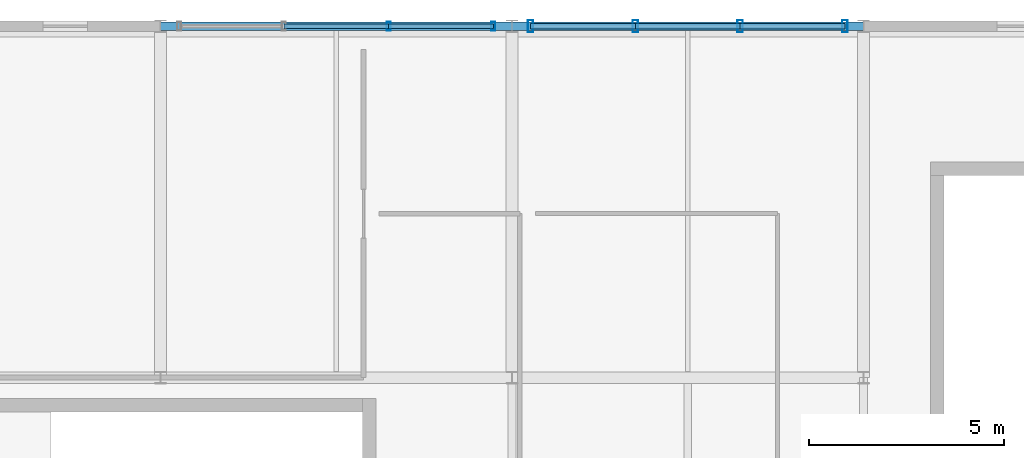
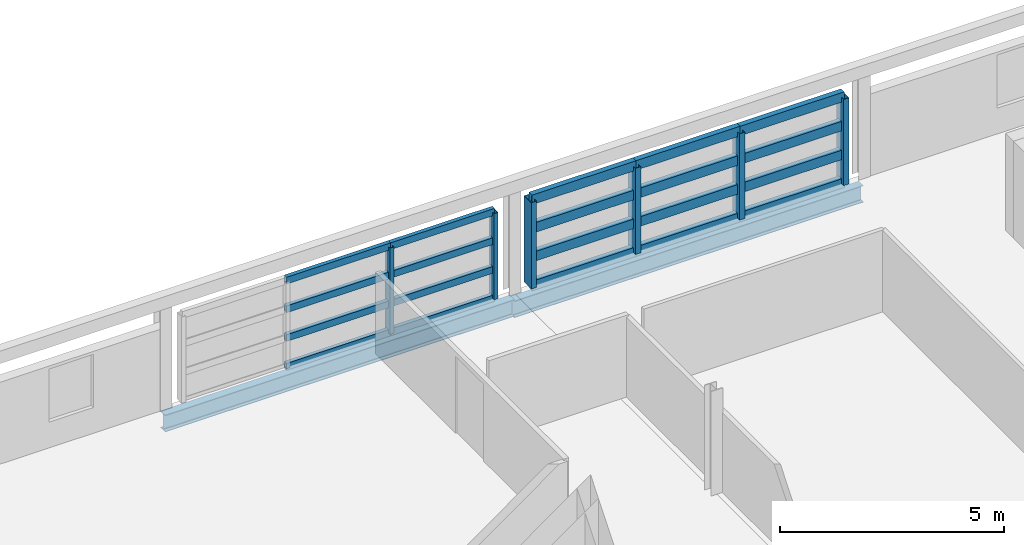
# One storey, part 20 of 27: 26 members, 2 beams, 2 elements without a shape of their own.
"""IFC4 building model written with IfcOpenShell, lengths in metres."""

from ifc_helpers import new_model, si_unit, direction, frame, origin, origin_2d, place, context, subcontext, project, spatial, hollow_rectangle, i_section, extrude, material, material_profile, profile_set, type_object, element, aggregate, save


model = new_model("IFC4")

# Units and contexts
model_context = context("Model", 3, precision=1e-05, world=origin(), true_north=direction((0.0, 1.0)))
body_context = subcontext(model_context, "Body", "Model", "MODEL_VIEW")
ifc_project = project(units=[si_unit("LENGTHUNIT", "METRE"), si_unit("AREAUNIT", "SQUARE_METRE"), si_unit("VOLUMEUNIT", "CUBIC_METRE"), si_unit("PLANEANGLEUNIT", "RADIAN"), si_unit("MASSUNIT", "GRAM", prefix="KILO")], contexts=[model_context])

# Site, building, storey
site_placement = place(None, origin())
site = spatial("IfcSite", under=ifc_project, at=site_placement, CompositionType="ELEMENT")
building_placement = place(site_placement, origin())
building = spatial("IfcBuilding", under=site, at=building_placement, Name="Chuanluo Vaults Station", CompositionType="ELEMENT")
storey_placement = place(building_placement, frame((0.0, 0.0, 20.800048828125)))
storey = spatial("IfcBuildingStorey", under=building, at=storey_placement, Name="L05", CompositionType="ELEMENT", Elevation=20.800048828125)

# Beams
ifc_material_1 = material(Name="Steel Q355C", Category="steel")
ifc_material_profile_1 = material_profile(ifc_material_1, i_section(OverallWidth=0.205078125, OverallDepth=0.4599609375, WebThickness=0.009033203125, FlangeThickness=0.013916015625, FilletRadius=0.01611328125, at=origin_2d()))
ifc_profile_set_1 = profile_set([ifc_material_profile_1], Name="Steel Q355C")
beam_type = type_object("IfcBeamType", Name="BM-SPN-450", PredefinedType="SPANDREL", material=ifc_profile_set_1)
for number, where, z_axis, x_axis, name in (
    (1, (154.0, 126.0, -0.41015625), (1.0, 0.0, 0.0), (0.0, 1.0, 0.0), "Floor girder BM:GX:L05:0981"),
    (2, (163.0, 126.0, -0.449951171875), (1.0, 0.0, 0.0), (0.0, 1.0, 0.0), "Floor girder BM:GX:L05:0982"),
):
    element("IfcBeam", number, at=place(storey_placement, frame(where, z_axis=z_axis, x_axis=x_axis)), inside=storey, type_object=beam_type, Name=name, PredefinedType="SPANDREL", context=body_context, shape_type="SweptSolid", body=[
        extrude(i_section(OverallWidth=0.205078125, OverallDepth=0.4599609375, WebThickness=0.009033203125, FlangeThickness=0.013916015625, FilletRadius=0.01611328125, at=origin_2d()), origin(), (0.0, 0.0, 1.0), 9.0),
    ])

# Curtain wall, members
ifc_material_2 = material(Name="Anodised aluminium 6063-T6", Category="aluminium")
curtain_wall_type_1 = type_object("IfcCurtainWallType", Name="CW-SYS-28", PredefinedType="NOTDEFINED", material=ifc_material_2)
curtain_wall_1_placement = place(storey_placement, origin())
curtain_wall_1 = element("IfcCurtainWall", 3, at=curtain_wall_1_placement, inside=storey, type_object=curtain_wall_type_1, Name="Operations L05 facade CW", PredefinedType="NOTDEFINED")
ifc_material_3 = material(Name="Anodised aluminium 6063-T6", Category="aluminium")
ifc_material_profile_2 = material_profile(ifc_material_3, hollow_rectangle(XDim=0.10498046875, YDim=0.219970703125, WallThickness=0.006103515625, at=origin_2d()))
ifc_profile_set_2 = profile_set([ifc_material_profile_2], Name="Anodised aluminium 6063-T6")
member_type_1 = type_object("IfcMemberType", Name="CWM-140", PredefinedType="MULLION", material=ifc_profile_set_2)
member_1_placement = place(storey_placement, frame((159.841796875, 126.0, 0.0), z_axis=(0.0, 0.0, 1.0), x_axis=(1.0, 0.0, 0.0)))
member_1 = element("IfcMember", 4, at=member_1_placement, type_object=member_type_1, Name="Operations L05 facade CW mullion 3", PredefinedType="MULLION", context=body_context, shape_type="SweptSolid", body=[
    extrude(hollow_rectangle(XDim=0.10498046875, YDim=0.219970703125, WallThickness=0.006103515625, at=origin_2d()), origin(), (0.0, 0.0, 1.0), 2.349853515625),
])
member_2_placement = place(storey_placement, frame((162.52490234375, 126.0, 0.0), z_axis=(0.0, 0.0, 1.0), x_axis=(1.0, 0.0, 0.0)))
member_2 = element("IfcMember", 5, at=member_2_placement, type_object=member_type_1, Name="Operations L05 facade CW mullion 4", PredefinedType="MULLION", context=body_context, shape_type="SweptSolid", body=[
    extrude(hollow_rectangle(XDim=0.10498046875, YDim=0.219970703125, WallThickness=0.006103515625, at=origin_2d()), origin(), (0.0, 0.0, 1.0), 2.349853515625),
])

ifc_material_4 = material(Name="Anodised aluminium 6063-T6", Category="aluminium")
curtain_wall_type_2 = type_object("IfcCurtainWallType", Name="CW-SYS-01", PredefinedType="NOTDEFINED", material=ifc_material_4)
curtain_wall_2_placement = place(storey_placement, origin())
curtain_wall_2 = element("IfcCurtainWall", 6, at=curtain_wall_2_placement, inside=storey, type_object=curtain_wall_type_2, Name="Operations L05 facade CW", PredefinedType="NOTDEFINED")
ifc_material_5 = material(Name="Anodised aluminium 6063-T6", Category="aluminium")
ifc_material_profile_3 = material_profile(ifc_material_5, hollow_rectangle(XDim=0.139892578125, YDim=0.320068359375, WallThickness=0.008056640625, at=origin_2d()))
ifc_profile_set_3 = profile_set([ifc_material_profile_3], Name="Anodised aluminium 6063-T6")
member_type_2 = type_object("IfcMemberType", Name="CWM-220", PredefinedType="MULLION", material=ifc_profile_set_3)
member_3_placement = place(storey_placement, frame((163.47509765625, 126.0, 0.0), z_axis=(0.0, 0.0, 1.0), x_axis=(1.0, 0.0, 0.0)))
member_3 = element("IfcMember", 7, at=member_3_placement, type_object=member_type_2, Name="Operations L05 facade CW mullion 1", PredefinedType="MULLION", context=body_context, shape_type="SweptSolid", body=[
    extrude(hollow_rectangle(XDim=0.139892578125, YDim=0.320068359375, WallThickness=0.008056640625, at=origin_2d()), origin(), (0.0, 0.0, 1.0), 2.349853515625),
])
member_4_placement = place(storey_placement, frame((166.158203125, 126.0, 0.0), z_axis=(0.0, 0.0, 1.0), x_axis=(1.0, 0.0, 0.0)))
member_4 = element("IfcMember", 8, at=member_4_placement, type_object=member_type_2, Name="Operations L05 facade CW mullion 2", PredefinedType="MULLION", context=body_context, shape_type="SweptSolid", body=[
    extrude(hollow_rectangle(XDim=0.139892578125, YDim=0.320068359375, WallThickness=0.008056640625, at=origin_2d()), origin(), (0.0, 0.0, 1.0), 2.349853515625),
])
member_5_placement = place(storey_placement, frame((168.841796875, 126.0, 0.0), z_axis=(0.0, 0.0, 1.0), x_axis=(1.0, 0.0, 0.0)))
member_5 = element("IfcMember", 9, at=member_5_placement, type_object=member_type_2, Name="Operations L05 facade CW mullion 3", PredefinedType="MULLION", context=body_context, shape_type="SweptSolid", body=[
    extrude(hollow_rectangle(XDim=0.139892578125, YDim=0.320068359375, WallThickness=0.008056640625, at=origin_2d()), origin(), (0.0, 0.0, 1.0), 2.349853515625),
])
member_6_placement = place(storey_placement, frame((171.52490234375, 126.0, 0.0), z_axis=(0.0, 0.0, 1.0), x_axis=(1.0, 0.0, 0.0)))
member_6 = element("IfcMember", 10, at=member_6_placement, type_object=member_type_2, Name="Operations L05 facade CW mullion 4", PredefinedType="MULLION", context=body_context, shape_type="SweptSolid", body=[
    extrude(hollow_rectangle(XDim=0.139892578125, YDim=0.320068359375, WallThickness=0.008056640625, at=origin_2d()), origin(), (0.0, 0.0, 1.0), 2.349853515625),
])

# Member
ifc_material_6 = material(Name="Anodised aluminium 6063-T6", Category="aluminium")
ifc_material_profile_4 = material_profile(ifc_material_6, hollow_rectangle(XDim=0.10498046875, YDim=0.18505859375, WallThickness=0.0048828125, at=origin_2d()))
ifc_profile_set_4 = profile_set([ifc_material_profile_4], Name="Anodised aluminium 6063-T6")
member_type_3 = type_object("IfcMemberType", Name="CWT-110", PredefinedType="USERDEFINED", material=ifc_profile_set_4)
member_7_placement = place(storey_placement, frame((157.158203125, 126.0, 0.0), z_axis=(1.0, 0.0, 0.0), x_axis=(0.0, 1.0, 0.0)))
member_7 = element("IfcMember", 11, at=member_7_placement, type_object=member_type_3, Name="Operations L05 facade CW transom 2.1", ObjectType="TRANSOM", PredefinedType="USERDEFINED", context=body_context, shape_type="SweptSolid", body=[
    extrude(hollow_rectangle(XDim=0.10498046875, YDim=0.18505859375, WallThickness=0.0048828125, at=origin_2d()), origin(), (0.0, 0.0, 1.0), 2.68359375),
])

member_8_placement = place(storey_placement, frame((157.158203125, 126.0, 0.783203125), z_axis=(1.0, 0.0, 0.0), x_axis=(0.0, 1.0, 0.0)))
member_8 = element("IfcMember", 12, at=member_8_placement, type_object=member_type_3, Name="Operations L05 facade CW transom 2.2", ObjectType="TRANSOM", PredefinedType="USERDEFINED", context=body_context, shape_type="SweptSolid", body=[
    extrude(hollow_rectangle(XDim=0.10498046875, YDim=0.18505859375, WallThickness=0.0048828125, at=origin_2d()), origin(), (0.0, 0.0, 1.0), 2.68359375),
])

member_9_placement = place(storey_placement, frame((157.158203125, 126.0, 1.566650390625), z_axis=(1.0, 0.0, 0.0), x_axis=(0.0, 1.0, 0.0)))
member_9 = element("IfcMember", 13, at=member_9_placement, type_object=member_type_3, Name="Operations L05 facade CW transom 2.3", ObjectType="TRANSOM", PredefinedType="USERDEFINED", context=body_context, shape_type="SweptSolid", body=[
    extrude(hollow_rectangle(XDim=0.10498046875, YDim=0.18505859375, WallThickness=0.0048828125, at=origin_2d()), origin(), (0.0, 0.0, 1.0), 2.68359375),
])

member_10_placement = place(storey_placement, frame((157.158203125, 126.0, 2.349853515625), z_axis=(1.0, 0.0, 0.0), x_axis=(0.0, 1.0, 0.0)))
member_10 = element("IfcMember", 14, at=member_10_placement, type_object=member_type_3, Name="Operations L05 facade CW transom 2.4", ObjectType="TRANSOM", PredefinedType="USERDEFINED", context=body_context, shape_type="SweptSolid", body=[
    extrude(hollow_rectangle(XDim=0.10498046875, YDim=0.18505859375, WallThickness=0.0048828125, at=origin_2d()), origin(), (0.0, 0.0, 1.0), 2.68359375),
])

member_11_placement = place(storey_placement, frame((159.841796875, 126.0, 0.0), z_axis=(1.0, 0.0, 0.0), x_axis=(0.0, 1.0, 0.0)))
member_11 = element("IfcMember", 15, at=member_11_placement, type_object=member_type_3, Name="Operations L05 facade CW transom 3.1", ObjectType="TRANSOM", PredefinedType="USERDEFINED", context=body_context, shape_type="SweptSolid", body=[
    extrude(hollow_rectangle(XDim=0.10498046875, YDim=0.18505859375, WallThickness=0.0048828125, at=origin_2d()), origin(), (0.0, 0.0, 1.0), 2.68310546875),
])

member_12_placement = place(storey_placement, frame((159.841796875, 126.0, 0.783203125), z_axis=(1.0, 0.0, 0.0), x_axis=(0.0, 1.0, 0.0)))
member_12 = element("IfcMember", 16, at=member_12_placement, type_object=member_type_3, Name="Operations L05 facade CW transom 3.2", ObjectType="TRANSOM", PredefinedType="USERDEFINED", context=body_context, shape_type="SweptSolid", body=[
    extrude(hollow_rectangle(XDim=0.10498046875, YDim=0.18505859375, WallThickness=0.0048828125, at=origin_2d()), origin(), (0.0, 0.0, 1.0), 2.68310546875),
])

member_13_placement = place(storey_placement, frame((159.841796875, 126.0, 1.566650390625), z_axis=(1.0, 0.0, 0.0), x_axis=(0.0, 1.0, 0.0)))
member_13 = element("IfcMember", 17, at=member_13_placement, type_object=member_type_3, Name="Operations L05 facade CW transom 3.3", ObjectType="TRANSOM", PredefinedType="USERDEFINED", context=body_context, shape_type="SweptSolid", body=[
    extrude(hollow_rectangle(XDim=0.10498046875, YDim=0.18505859375, WallThickness=0.0048828125, at=origin_2d()), origin(), (0.0, 0.0, 1.0), 2.68310546875),
])

member_14_placement = place(storey_placement, frame((159.841796875, 126.0, 2.349853515625), z_axis=(1.0, 0.0, 0.0), x_axis=(0.0, 1.0, 0.0)))
member_14 = element("IfcMember", 18, at=member_14_placement, type_object=member_type_3, Name="Operations L05 facade CW transom 3.4", ObjectType="TRANSOM", PredefinedType="USERDEFINED", context=body_context, shape_type="SweptSolid", body=[
    extrude(hollow_rectangle(XDim=0.10498046875, YDim=0.18505859375, WallThickness=0.0048828125, at=origin_2d()), origin(), (0.0, 0.0, 1.0), 2.68310546875),
])

aggregate(curtain_wall_1, [member_1, member_2, member_7, member_8, member_9, member_10, member_11, member_12, member_13, member_14])

ifc_material_7 = material(Name="Anodised aluminium 6063-T6", Category="aluminium")
ifc_material_profile_5 = material_profile(ifc_material_7, hollow_rectangle(XDim=0.139892578125, YDim=0.260009765625, WallThickness=0.007080078125, at=origin_2d()))
ifc_profile_set_5 = profile_set([ifc_material_profile_5], Name="Anodised aluminium 6063-T6")
member_type_4 = type_object("IfcMemberType", Name="CWT-180", PredefinedType="USERDEFINED", material=ifc_profile_set_5)
member_15_placement = place(storey_placement, frame((163.47509765625, 126.0, 0.0), z_axis=(1.0, 0.0, 0.0), x_axis=(0.0, 1.0, 0.0)))
member_15 = element("IfcMember", 19, at=member_15_placement, type_object=member_type_4, Name="Operations L05 facade CW transom 1.1", ObjectType="TRANSOM", PredefinedType="USERDEFINED", context=body_context, shape_type="SweptSolid", body=[
    extrude(hollow_rectangle(XDim=0.139892578125, YDim=0.260009765625, WallThickness=0.007080078125, at=origin_2d()), origin(), (0.0, 0.0, 1.0), 2.68310546875),
])

member_16_placement = place(storey_placement, frame((163.47509765625, 126.0, 0.783203125), z_axis=(1.0, 0.0, 0.0), x_axis=(0.0, 1.0, 0.0)))
member_16 = element("IfcMember", 20, at=member_16_placement, type_object=member_type_4, Name="Operations L05 facade CW transom 1.2", ObjectType="TRANSOM", PredefinedType="USERDEFINED", context=body_context, shape_type="SweptSolid", body=[
    extrude(hollow_rectangle(XDim=0.139892578125, YDim=0.260009765625, WallThickness=0.007080078125, at=origin_2d()), origin(), (0.0, 0.0, 1.0), 2.68310546875),
])

member_17_placement = place(storey_placement, frame((163.47509765625, 126.0, 1.566650390625), z_axis=(1.0, 0.0, 0.0), x_axis=(0.0, 1.0, 0.0)))
member_17 = element("IfcMember", 21, at=member_17_placement, type_object=member_type_4, Name="Operations L05 facade CW transom 1.3", ObjectType="TRANSOM", PredefinedType="USERDEFINED", context=body_context, shape_type="SweptSolid", body=[
    extrude(hollow_rectangle(XDim=0.139892578125, YDim=0.260009765625, WallThickness=0.007080078125, at=origin_2d()), origin(), (0.0, 0.0, 1.0), 2.68310546875),
])

member_18_placement = place(storey_placement, frame((163.47509765625, 126.0, 2.349853515625), z_axis=(1.0, 0.0, 0.0), x_axis=(0.0, 1.0, 0.0)))
member_18 = element("IfcMember", 22, at=member_18_placement, type_object=member_type_4, Name="Operations L05 facade CW transom 1.4", ObjectType="TRANSOM", PredefinedType="USERDEFINED", context=body_context, shape_type="SweptSolid", body=[
    extrude(hollow_rectangle(XDim=0.139892578125, YDim=0.260009765625, WallThickness=0.007080078125, at=origin_2d()), origin(), (0.0, 0.0, 1.0), 2.68310546875),
])

member_19_placement = place(storey_placement, frame((166.158203125, 126.0, 0.0), z_axis=(1.0, 0.0, 0.0), x_axis=(0.0, 1.0, 0.0)))
member_19 = element("IfcMember", 23, at=member_19_placement, type_object=member_type_4, Name="Operations L05 facade CW transom 2.1", ObjectType="TRANSOM", PredefinedType="USERDEFINED", context=body_context, shape_type="SweptSolid", body=[
    extrude(hollow_rectangle(XDim=0.139892578125, YDim=0.260009765625, WallThickness=0.007080078125, at=origin_2d()), origin(), (0.0, 0.0, 1.0), 2.68359375),
])

member_20_placement = place(storey_placement, frame((166.158203125, 126.0, 0.783203125), z_axis=(1.0, 0.0, 0.0), x_axis=(0.0, 1.0, 0.0)))
member_20 = element("IfcMember", 24, at=member_20_placement, type_object=member_type_4, Name="Operations L05 facade CW transom 2.2", ObjectType="TRANSOM", PredefinedType="USERDEFINED", context=body_context, shape_type="SweptSolid", body=[
    extrude(hollow_rectangle(XDim=0.139892578125, YDim=0.260009765625, WallThickness=0.007080078125, at=origin_2d()), origin(), (0.0, 0.0, 1.0), 2.68359375),
])

member_21_placement = place(storey_placement, frame((166.158203125, 126.0, 1.566650390625), z_axis=(1.0, 0.0, 0.0), x_axis=(0.0, 1.0, 0.0)))
member_21 = element("IfcMember", 25, at=member_21_placement, type_object=member_type_4, Name="Operations L05 facade CW transom 2.3", ObjectType="TRANSOM", PredefinedType="USERDEFINED", context=body_context, shape_type="SweptSolid", body=[
    extrude(hollow_rectangle(XDim=0.139892578125, YDim=0.260009765625, WallThickness=0.007080078125, at=origin_2d()), origin(), (0.0, 0.0, 1.0), 2.68359375),
])

member_22_placement = place(storey_placement, frame((166.158203125, 126.0, 2.349853515625), z_axis=(1.0, 0.0, 0.0), x_axis=(0.0, 1.0, 0.0)))
member_22 = element("IfcMember", 26, at=member_22_placement, type_object=member_type_4, Name="Operations L05 facade CW transom 2.4", ObjectType="TRANSOM", PredefinedType="USERDEFINED", context=body_context, shape_type="SweptSolid", body=[
    extrude(hollow_rectangle(XDim=0.139892578125, YDim=0.260009765625, WallThickness=0.007080078125, at=origin_2d()), origin(), (0.0, 0.0, 1.0), 2.68359375),
])

member_23_placement = place(storey_placement, frame((168.841796875, 126.0, 0.0), z_axis=(1.0, 0.0, 0.0), x_axis=(0.0, 1.0, 0.0)))
member_23 = element("IfcMember", 27, at=member_23_placement, type_object=member_type_4, Name="Operations L05 facade CW transom 3.1", ObjectType="TRANSOM", PredefinedType="USERDEFINED", context=body_context, shape_type="SweptSolid", body=[
    extrude(hollow_rectangle(XDim=0.139892578125, YDim=0.260009765625, WallThickness=0.007080078125, at=origin_2d()), origin(), (0.0, 0.0, 1.0), 2.68310546875),
])

member_24_placement = place(storey_placement, frame((168.841796875, 126.0, 0.783203125), z_axis=(1.0, 0.0, 0.0), x_axis=(0.0, 1.0, 0.0)))
member_24 = element("IfcMember", 28, at=member_24_placement, type_object=member_type_4, Name="Operations L05 facade CW transom 3.2", ObjectType="TRANSOM", PredefinedType="USERDEFINED", context=body_context, shape_type="SweptSolid", body=[
    extrude(hollow_rectangle(XDim=0.139892578125, YDim=0.260009765625, WallThickness=0.007080078125, at=origin_2d()), origin(), (0.0, 0.0, 1.0), 2.68310546875),
])

member_25_placement = place(storey_placement, frame((168.841796875, 126.0, 1.566650390625), z_axis=(1.0, 0.0, 0.0), x_axis=(0.0, 1.0, 0.0)))
member_25 = element("IfcMember", 29, at=member_25_placement, type_object=member_type_4, Name="Operations L05 facade CW transom 3.3", ObjectType="TRANSOM", PredefinedType="USERDEFINED", context=body_context, shape_type="SweptSolid", body=[
    extrude(hollow_rectangle(XDim=0.139892578125, YDim=0.260009765625, WallThickness=0.007080078125, at=origin_2d()), origin(), (0.0, 0.0, 1.0), 2.68310546875),
])

member_26_placement = place(storey_placement, frame((168.841796875, 126.0, 2.349853515625), z_axis=(1.0, 0.0, 0.0), x_axis=(0.0, 1.0, 0.0)))
member_26 = element("IfcMember", 30, at=member_26_placement, type_object=member_type_4, Name="Operations L05 facade CW transom 3.4", ObjectType="TRANSOM", PredefinedType="USERDEFINED", context=body_context, shape_type="SweptSolid", body=[
    extrude(hollow_rectangle(XDim=0.139892578125, YDim=0.260009765625, WallThickness=0.007080078125, at=origin_2d()), origin(), (0.0, 0.0, 1.0), 2.68310546875),
])

aggregate(curtain_wall_2, [member_3, member_4, member_5, member_6, member_15, member_16, member_17, member_18, member_19, member_20, member_21, member_22, member_23, member_24, member_25, member_26])

save(model, "model.ifc")
